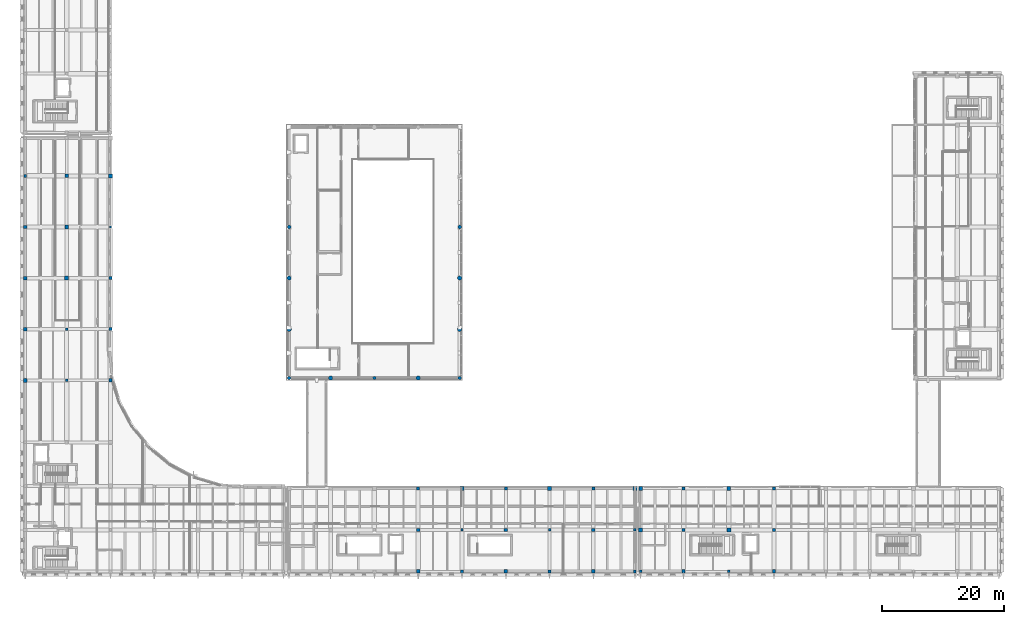
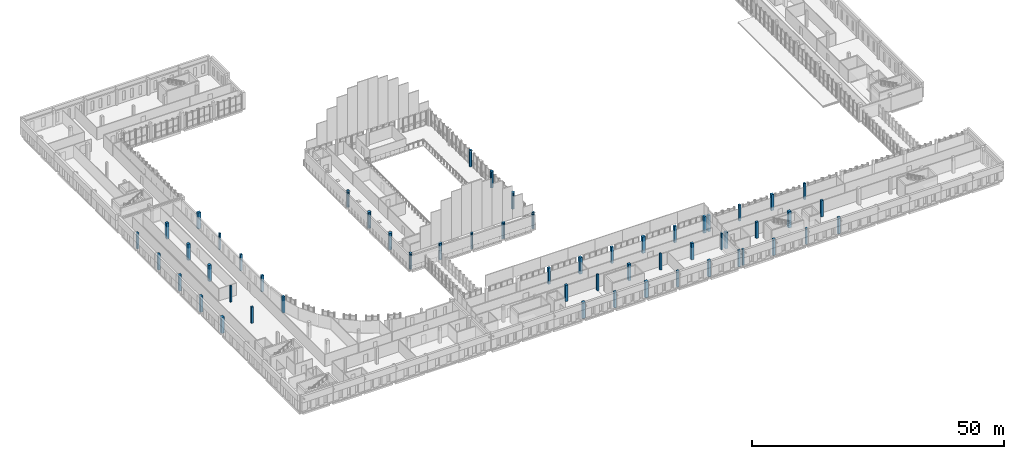
# One storey, part 3 of 76: 56 columns.
"""IFC4 building model written with IfcOpenShell, lengths in metres."""

from ifc_helpers import new_model, si_unit, direction, frame, origin, origin_2d, place, context, subcontext, project, spatial, rectangle, circle, extrude, material, material_profile, profile_set, type_object, element, save


model = new_model("IFC4")

# Units and contexts
model_context = context("Model", 3, precision=1e-05, world=origin(), true_north=direction((0.0, 1.0)))
body_context = subcontext(model_context, "Body", "Model", "MODEL_VIEW")
ifc_project = project(units=[si_unit("LENGTHUNIT", "METRE"), si_unit("AREAUNIT", "SQUARE_METRE"), si_unit("VOLUMEUNIT", "CUBIC_METRE"), si_unit("PLANEANGLEUNIT", "RADIAN"), si_unit("MASSUNIT", "GRAM", prefix="KILO")], contexts=[model_context])

# Site, building, storey
site_placement = place(None, origin())
site = spatial("IfcSite", under=ifc_project, at=site_placement, CompositionType="ELEMENT")
building_placement = place(site_placement, origin())
building = spatial("IfcBuilding", under=site, at=building_placement, Name="Vardoun Plaza Health Centre", CompositionType="ELEMENT")
storey_placement = place(building_placement, frame((0.0, 0.0, 4.5)))
storey = spatial("IfcBuildingStorey", under=building, at=storey_placement, Name="L01", CompositionType="ELEMENT", Elevation=4.5)

# Columns
ifc_material_1 = material(Name="Concrete C40/50", Category="concrete")
ifc_material_profile_1 = material_profile(ifc_material_1, rectangle(XDim=0.39990234375, YDim=0.39990234375, at=origin_2d()), Name="RC-COL 400x400")
ifc_profile_set_1 = profile_set([ifc_material_profile_1], Name="Concrete C40/50")
column_type_1 = type_object("IfcColumnType", Name="C-08", PredefinedType="COLUMN", material=ifc_profile_set_1)
for number, where, z_axis, x_axis, name in (
    (1, (11.699951171875, 44.699951171875, 0.0), (0.0, 0.0, 1.0), (1.0, 0.0, 0.0), "V2 L01 Column C-V2-16"),
    (2, (18.89990234375, 61.5, 0.0), (0.0, 0.0, 1.0), (1.0, 0.0, 0.0), "V2 L01 Column C-V2-28"),
):
    element("IfcColumn", number, at=place(storey_placement, frame(where, z_axis=z_axis, x_axis=x_axis)), inside=storey, type_object=column_type_1, Name=name, PredefinedType="COLUMN", context=body_context, shape_type="SweptSolid", body=[
        extrude(rectangle(XDim=0.39990234375, YDim=0.39990234375, at=origin_2d()), origin(), (0.0, 0.0, 1.0), 3.919921875),
    ])
for number, where, z_axis, x_axis, name in (
    (3, (76.679931640625, 11.699951171875, 0.0), (0.0, 0.0, 1.0), (1.0, 0.0, 0.0), "V4 L01 Column C-V4-14"),
    (4, (91.080078125, 11.699951171875, 0.0), (0.0, 0.0, 1.0), (1.0, 0.0, 0.0), "V4 L01 Column C-V4-20"),
    (5, (105.10009765625, 11.699951171875, 0.0), (0.0, 0.0, 1.0), (1.0, 0.0, 0.0), "V4 L01 Column C-V4-26"),
):
    element("IfcColumn", number, at=place(storey_placement, frame(where, z_axis=z_axis, x_axis=x_axis)), inside=storey, type_object=column_type_1, Name=name, PredefinedType="COLUMN", context=body_context, shape_type="SweptSolid", body=[
        extrude(rectangle(XDim=0.39990234375, YDim=0.39990234375, at=origin_2d()), origin(), (0.0, 0.0, 1.0), 3.9599609375),
    ])
for number, where, z_axis, x_axis, name in (
    (6, (106.0400390625, 4.8798828125, 0.0), (0.0, 0.0, 1.0), (1.0, 0.0, 0.0), "V5 L01 Column C-V5-01"),
    (7, (120.5400390625, 4.8798828125, 0.0), (0.0, 0.0, 1.0), (1.0, 0.0, 0.0), "V5 L01 Column C-V5-07"),
):
    element("IfcColumn", number, at=place(storey_placement, frame(where, z_axis=z_axis, x_axis=x_axis)), inside=storey, type_object=column_type_1, Name=name, PredefinedType="COLUMN", context=body_context, shape_type="SweptSolid", body=[
        extrude(rectangle(XDim=0.39990234375, YDim=0.39990234375, at=origin_2d()), origin(), (0.0, 0.0, 1.0), 3.905029296875),
    ])
ifc_material_2 = material(Name="Concrete C40/50", Category="concrete")
ifc_material_profile_2 = material_profile(ifc_material_2, rectangle(XDim=0.449951171875, YDim=0.449951171875, at=origin_2d()), Name="RC-COL 450x450")
ifc_profile_set_2 = profile_set([ifc_material_profile_2], Name="Concrete C40/50")
column_type_2 = type_object("IfcColumnType", Name="C-07", PredefinedType="COLUMN", material=ifc_profile_set_2)
for number, where, z_axis, x_axis, name in (
    (8, (4.8798828125, 69.900146484375, 0.0), (0.0, 0.0, 1.0), (1.0, 0.0, 0.0), "V2 L01 Column C-V2-09"),
    (9, (11.699951171875, 36.300048828125, 0.0), (0.0, 0.0, 1.0), (1.0, 0.0, 0.0), "V2 L01 Column C-V2-15"),
    (10, (18.89990234375, 53.10009765625, 0.0), (0.0, 0.0, 1.0), (1.0, 0.0, 0.0), "V2 L01 Column C-V2-27"),
):
    element("IfcColumn", number, at=place(storey_placement, frame(where, z_axis=z_axis, x_axis=x_axis)), inside=storey, type_object=column_type_2, Name=name, PredefinedType="COLUMN", context=body_context, shape_type="SweptSolid", body=[
        extrude(rectangle(XDim=0.449951171875, YDim=0.449951171875, at=origin_2d()), origin(), (0.0, 0.0, 1.0), 3.919921875),
    ])
for number, where, z_axis, x_axis, name in (
    (11, (76.679931640625, 4.8798828125, 0.0), (0.0, 0.0, 1.0), (1.0, 0.0, 0.0), "V4 L01 Column C-V4-13"),
    (12, (91.080078125, 4.8798828125, 0.0), (0.0, 0.0, 1.0), (1.0, 0.0, 0.0), "V4 L01 Column C-V4-19"),
    (13, (105.10009765625, 4.8798828125, 0.0), (0.0, 0.0, 1.0), (1.0, 0.0, 0.0), "V4 L01 Column C-V4-25"),
):
    element("IfcColumn", number, at=place(storey_placement, frame(where, z_axis=z_axis, x_axis=x_axis)), inside=storey, type_object=column_type_2, Name=name, PredefinedType="COLUMN", context=body_context, shape_type="SweptSolid", body=[
        extrude(rectangle(XDim=0.449951171875, YDim=0.449951171875, at=origin_2d()), origin(), (0.0, 0.0, 1.0), 3.9599609375),
    ])
for number, where, z_axis, x_axis, name in (
    (14, (113.10009765625, 18.52001953125, 0.0), (0.0, 0.0, 1.0), (1.0, 0.0, 0.0), "V5 L01 Column C-V5-06"),
    (15, (127.97998046875, 18.52001953125, 0.0), (0.0, 0.0, 1.0), (1.0, 0.0, 0.0), "V5 L01 Column C-V5-12"),
):
    element("IfcColumn", number, at=place(storey_placement, frame(where, z_axis=z_axis, x_axis=x_axis)), inside=storey, type_object=column_type_2, Name=name, PredefinedType="COLUMN", context=body_context, shape_type="SweptSolid", body=[
        extrude(rectangle(XDim=0.449951171875, YDim=0.449951171875, at=origin_2d()), origin(), (0.0, 0.0, 1.0), 3.905029296875),
    ])
ifc_material_3 = material(Name="Concrete C40/50", Category="concrete")
ifc_material_profile_3 = material_profile(ifc_material_3, rectangle(XDim=0.5, YDim=0.5, at=origin_2d()), Name="RC-COL 500x500")
ifc_profile_set_3 = profile_set([ifc_material_profile_3], Name="Concrete C40/50")
column_type_3 = type_object("IfcColumnType", Name="C-06", PredefinedType="COLUMN", material=ifc_profile_set_3)
for number, where, z_axis, x_axis, name in (
    (16, (4.8798828125, 61.5, 0.0), (0.0, 0.0, 1.0), (1.0, 0.0, 0.0), "V2 L01 Column C-V2-08"),
    (17, (18.89990234375, 44.699951171875, 0.0), (0.0, 0.0, 1.0), (1.0, 0.0, 0.0), "V2 L01 Column C-V2-26"),
):
    element("IfcColumn", number, at=place(storey_placement, frame(where, z_axis=z_axis, x_axis=x_axis)), inside=storey, type_object=column_type_3, Name=name, PredefinedType="COLUMN", context=body_context, shape_type="SweptSolid", body=[
        extrude(rectangle(XDim=0.5, YDim=0.5, at=origin_2d()), origin(), (0.0, 0.0, 1.0), 3.919921875),
    ])
for number, where, z_axis, x_axis, name in (
    (18, (69.47998046875, 18.52001953125, 0.0), (0.0, 0.0, 1.0), (1.0, 0.0, 0.0), "V4 L01 Column C-V4-12"),
    (19, (83.8798828125, 18.52001953125, 0.0), (0.0, 0.0, 1.0), (1.0, 0.0, 0.0), "V4 L01 Column C-V4-18"),
    (20, (98.280029296875, 18.52001953125, 0.0), (0.0, 0.0, 1.0), (1.0, 0.0, 0.0), "V4 L01 Column C-V4-24"),
):
    element("IfcColumn", number, at=place(storey_placement, frame(where, z_axis=z_axis, x_axis=x_axis)), inside=storey, type_object=column_type_3, Name=name, PredefinedType="COLUMN", context=body_context, shape_type="SweptSolid", body=[
        extrude(rectangle(XDim=0.5, YDim=0.5, at=origin_2d()), origin(), (0.0, 0.0, 1.0), 3.9599609375),
    ])
for number, where, z_axis, x_axis, name in (
    (21, (113.10009765625, 11.699951171875, 0.0), (0.0, 0.0, 1.0), (1.0, 0.0, 0.0), "V5 L01 Column C-V5-05"),
    (22, (127.97998046875, 11.699951171875, 0.0), (0.0, 0.0, 1.0), (1.0, 0.0, 0.0), "V5 L01 Column C-V5-11"),
):
    element("IfcColumn", number, at=place(storey_placement, frame(where, z_axis=z_axis, x_axis=x_axis)), inside=storey, type_object=column_type_3, Name=name, PredefinedType="COLUMN", context=body_context, shape_type="SweptSolid", body=[
        extrude(rectangle(XDim=0.5, YDim=0.5, at=origin_2d()), origin(), (0.0, 0.0, 1.0), 3.905029296875),
    ])
ifc_material_4 = material(Name="Concrete C40/50", Category="concrete")
ifc_material_profile_4 = material_profile(ifc_material_4, rectangle(XDim=0.550048828125, YDim=0.550048828125, at=origin_2d()), Name="RC-COL 550x550")
ifc_profile_set_4 = profile_set([ifc_material_profile_4], Name="Concrete C40/50")
column_type_4 = type_object("IfcColumnType", Name="C-05", PredefinedType="COLUMN", material=ifc_profile_set_4)
for number, where, z_axis, x_axis, name in (
    (23, (4.8798828125, 53.10009765625, 0.0), (0.0, 0.0, 1.0), (1.0, 0.0, 0.0), "V2 L01 Column C-V2-07"),
    (24, (11.699951171875, 69.900146484375, 0.0), (0.0, 0.0, 1.0), (1.0, 0.0, 0.0), "V2 L01 Column C-V2-19"),
    (25, (18.89990234375, 36.300048828125, 0.0), (0.0, 0.0, 1.0), (1.0, 0.0, 0.0), "V2 L01 Column C-V2-25"),
):
    element("IfcColumn", number, at=place(storey_placement, frame(where, z_axis=z_axis, x_axis=x_axis)), inside=storey, type_object=column_type_4, Name=name, PredefinedType="COLUMN", context=body_context, shape_type="SweptSolid", body=[
        extrude(rectangle(XDim=0.550048828125, YDim=0.550048828125, at=origin_2d()), origin(), (0.0, 0.0, 1.0), 3.919921875),
    ])
for number, where, z_axis, x_axis, name in (
    (26, (69.47998046875, 11.699951171875, 0.0), (0.0, 0.0, 1.0), (1.0, 0.0, 0.0), "V4 L01 Column C-V4-11"),
    (27, (83.8798828125, 11.699951171875, 0.0), (0.0, 0.0, 1.0), (1.0, 0.0, 0.0), "V4 L01 Column C-V4-17"),
    (28, (98.280029296875, 11.699951171875, 0.0), (0.0, 0.0, 1.0), (1.0, 0.0, 0.0), "V4 L01 Column C-V4-23"),
):
    element("IfcColumn", number, at=place(storey_placement, frame(where, z_axis=z_axis, x_axis=x_axis)), inside=storey, type_object=column_type_4, Name=name, PredefinedType="COLUMN", context=body_context, shape_type="SweptSolid", body=[
        extrude(rectangle(XDim=0.550048828125, YDim=0.550048828125, at=origin_2d()), origin(), (0.0, 0.0, 1.0), 3.9599609375),
    ])
for number, where, z_axis, x_axis, name in (
    (29, (113.10009765625, 4.8798828125, 0.0), (0.0, 0.0, 1.0), (1.0, 0.0, 0.0), "V5 L01 Column C-V5-04"),
    (30, (127.97998046875, 4.8798828125, 0.0), (0.0, 0.0, 1.0), (1.0, 0.0, 0.0), "V5 L01 Column C-V5-10"),
):
    element("IfcColumn", number, at=place(storey_placement, frame(where, z_axis=z_axis, x_axis=x_axis)), inside=storey, type_object=column_type_4, Name=name, PredefinedType="COLUMN", context=body_context, shape_type="SweptSolid", body=[
        extrude(rectangle(XDim=0.550048828125, YDim=0.550048828125, at=origin_2d()), origin(), (0.0, 0.0, 1.0), 3.905029296875),
    ])
ifc_material_5 = material(Name="Concrete C40/50", Category="concrete")
ifc_material_profile_5 = material_profile(ifc_material_5, rectangle(XDim=0.60009765625, YDim=0.60009765625, at=origin_2d()), Name="RC-COL 600x600")
ifc_profile_set_5 = profile_set([ifc_material_profile_5], Name="Concrete C40/50")
column_type_5 = type_object("IfcColumnType", Name="C-04", PredefinedType="COLUMN", material=ifc_profile_set_5)
for number, where, z_axis, x_axis, name in (
    (31, (4.8798828125, 44.699951171875, 0.0), (0.0, 0.0, 1.0), (1.0, 0.0, 0.0), "V2 L01 Column C-V2-06"),
    (32, (11.699951171875, 61.5, 0.0), (0.0, 0.0, 1.0), (1.0, 0.0, 0.0), "V2 L01 Column C-V2-18"),
):
    element("IfcColumn", number, at=place(storey_placement, frame(where, z_axis=z_axis, x_axis=x_axis)), inside=storey, type_object=column_type_5, Name=name, PredefinedType="COLUMN", context=body_context, shape_type="SweptSolid", body=[
        extrude(rectangle(XDim=0.60009765625, YDim=0.60009765625, at=origin_2d()), origin(), (0.0, 0.0, 1.0), 3.919921875),
    ])
for number, where, z_axis, x_axis, name in (
    (33, (69.47998046875, 4.8798828125, 0.0), (0.0, 0.0, 1.0), (1.0, 0.0, 0.0), "V4 L01 Column C-V4-10"),
    (34, (83.8798828125, 4.8798828125, 0.0), (0.0, 0.0, 1.0), (1.0, 0.0, 0.0), "V4 L01 Column C-V4-16"),
    (35, (98.280029296875, 4.8798828125, 0.0), (0.0, 0.0, 1.0), (1.0, 0.0, 0.0), "V4 L01 Column C-V4-22"),
):
    element("IfcColumn", number, at=place(storey_placement, frame(where, z_axis=z_axis, x_axis=x_axis)), inside=storey, type_object=column_type_5, Name=name, PredefinedType="COLUMN", context=body_context, shape_type="SweptSolid", body=[
        extrude(rectangle(XDim=0.60009765625, YDim=0.60009765625, at=origin_2d()), origin(), (0.0, 0.0, 1.0), 3.9599609375),
    ])
for number, where, z_axis, x_axis, name in (
    (36, (106.0400390625, 18.52001953125, 0.0), (0.0, 0.0, 1.0), (1.0, 0.0, 0.0), "V5 L01 Column C-V5-03"),
    (37, (120.5400390625, 18.52001953125, 0.0), (0.0, 0.0, 1.0), (1.0, 0.0, 0.0), "V5 L01 Column C-V5-09"),
):
    element("IfcColumn", number, at=place(storey_placement, frame(where, z_axis=z_axis, x_axis=x_axis)), inside=storey, type_object=column_type_5, Name=name, PredefinedType="COLUMN", context=body_context, shape_type="SweptSolid", body=[
        extrude(rectangle(XDim=0.60009765625, YDim=0.60009765625, at=origin_2d()), origin(), (0.0, 0.0, 1.0), 3.905029296875),
    ])
ifc_material_6 = material(Name="Concrete C40/50", Category="concrete")
ifc_material_profile_6 = material_profile(ifc_material_6, rectangle(XDim=0.64990234375, YDim=0.64990234375, at=origin_2d()), Name="RC-COL 650x650")
ifc_profile_set_6 = profile_set([ifc_material_profile_6], Name="Concrete C40/50")
column_type_6 = type_object("IfcColumnType", Name="C-03", PredefinedType="COLUMN", material=ifc_profile_set_6)
for number, where, z_axis, x_axis, name in (
    (38, (4.8798828125, 36.300048828125, 0.0), (0.0, 0.0, 1.0), (1.0, 0.0, 0.0), "V2 L01 Column C-V2-05"),
    (39, (11.699951171875, 53.10009765625, 0.0), (0.0, 0.0, 1.0), (1.0, 0.0, 0.0), "V2 L01 Column C-V2-17"),
    (40, (18.89990234375, 69.900146484375, 0.0), (0.0, 0.0, 1.0), (1.0, 0.0, 0.0), "V2 L01 Column C-V2-29"),
):
    element("IfcColumn", number, at=place(storey_placement, frame(where, z_axis=z_axis, x_axis=x_axis)), inside=storey, type_object=column_type_6, Name=name, PredefinedType="COLUMN", context=body_context, shape_type="SweptSolid", body=[
        extrude(rectangle(XDim=0.64990234375, YDim=0.64990234375, at=origin_2d()), origin(), (0.0, 0.0, 1.0), 3.919921875),
    ])
for number, where, z_axis, x_axis, name in (
    (41, (76.679931640625, 18.52001953125, 0.0), (0.0, 0.0, 1.0), (1.0, 0.0, 0.0), "V4 L01 Column C-V4-15"),
    (42, (91.080078125, 18.52001953125, 0.0), (0.0, 0.0, 1.0), (1.0, 0.0, 0.0), "V4 L01 Column C-V4-21"),
    (43, (105.10009765625, 18.52001953125, 0.0), (0.0, 0.0, 1.0), (1.0, 0.0, 0.0), "V4 L01 Column C-V4-27"),
):
    element("IfcColumn", number, at=place(storey_placement, frame(where, z_axis=z_axis, x_axis=x_axis)), inside=storey, type_object=column_type_6, Name=name, PredefinedType="COLUMN", context=body_context, shape_type="SweptSolid", body=[
        extrude(rectangle(XDim=0.64990234375, YDim=0.64990234375, at=origin_2d()), origin(), (0.0, 0.0, 1.0), 3.9599609375),
    ])
for number, where, z_axis, x_axis, name in (
    (44, (106.0400390625, 11.699951171875, 0.0), (0.0, 0.0, 1.0), (1.0, 0.0, 0.0), "V5 L01 Column C-V5-02"),
    (45, (120.5400390625, 11.699951171875, 0.0), (0.0, 0.0, 1.0), (1.0, 0.0, 0.0), "V5 L01 Column C-V5-08"),
):
    element("IfcColumn", number, at=place(storey_placement, frame(where, z_axis=z_axis, x_axis=x_axis)), inside=storey, type_object=column_type_6, Name=name, PredefinedType="COLUMN", context=body_context, shape_type="SweptSolid", body=[
        extrude(rectangle(XDim=0.64990234375, YDim=0.64990234375, at=origin_2d()), origin(), (0.0, 0.0, 1.0), 3.905029296875),
    ])
ifc_material_7 = material(Name="Pale Limestone Concrete C40/50", Category="masonry")
ifc_material_profile_7 = material_profile(ifc_material_7, circle(Radius=0.27490234375, at=origin_2d()), Name="RC-COL D550")
ifc_profile_set_7 = profile_set([ifc_material_profile_7], Name="Pale Limestone Concrete C40/50")
column_type_7 = type_object("IfcColumnType", Name="C-16", PredefinedType="COLUMN", material=ifc_profile_set_7)
for number, where, z_axis, x_axis, name in (
    (46, (48.260009765625, 36.679931640625, 0.0), (0.0, 0.0, 1.0), (1.0, 0.0, 0.0), "V1 L01 Column C-V1-01"),
    (47, (62.280029296875, 36.679931640625, 0.0), (0.0, 0.0, 1.0), (1.0, 0.0, 0.0), "V1 L01 Column C-V1-09"),
    (48, (76.300048828125, 36.679931640625, 0.0), (0.0, 0.0, 1.0), (1.0, 0.0, 0.0), "V1 L01 Column C-V1-13"),
):
    element("IfcColumn", number, at=place(storey_placement, frame(where, z_axis=z_axis, x_axis=x_axis)), inside=storey, type_object=column_type_7, Name=name, PredefinedType="COLUMN", context=body_context, shape_type="SweptSolid", body=[
        extrude(circle(Radius=0.27490234375, at=origin_2d()), origin(), (0.0, 0.0, 1.0), 3.9599609375),
    ])
ifc_material_8 = material(Name="Pale Limestone Concrete C40/50", Category="masonry")
ifc_material_profile_8 = material_profile(ifc_material_8, circle(Radius=0.300048828125, at=origin_2d()), Name="RC-COL D600")
ifc_profile_set_8 = profile_set([ifc_material_profile_8], Name="Pale Limestone Concrete C40/50")
column_type_8 = type_object("IfcColumnType", Name="C-15", PredefinedType="COLUMN", material=ifc_profile_set_8)
for number, where, z_axis, x_axis, name in (
    (49, (48.260009765625, 61.5, 0.0), (0.0, 0.0, 1.0), (1.0, 0.0, 0.0), "V1 L01 Column C-V1-04"),
    (50, (76.300048828125, 61.5, 0.0), (0.0, 0.0, 1.0), (1.0, 0.0, 0.0), "V1 L01 Column C-V1-16"),
):
    element("IfcColumn", number, at=place(storey_placement, frame(where, z_axis=z_axis, x_axis=x_axis)), inside=storey, type_object=column_type_8, Name=name, PredefinedType="COLUMN", context=body_context, shape_type="SweptSolid", body=[
        extrude(circle(Radius=0.300048828125, at=origin_2d()), origin(), (0.0, 0.0, 1.0), 3.9599609375),
    ])
ifc_material_9 = material(Name="Pale Limestone Concrete C40/50", Category="masonry")
ifc_material_profile_9 = material_profile(ifc_material_9, circle(Radius=0.35009765625, at=origin_2d()), Name="RC-COL D700")
ifc_profile_set_9 = profile_set([ifc_material_profile_9], Name="Pale Limestone Concrete C40/50")
column_type_9 = type_object("IfcColumnType", Name="C-14", PredefinedType="COLUMN", material=ifc_profile_set_9)
for number, where, z_axis, x_axis, name in (
    (51, (48.260009765625, 53.10009765625, 0.0), (0.0, 0.0, 1.0), (1.0, 0.0, 0.0), "V1 L01 Column C-V1-03"),
    (52, (55.080078125, 36.679931640625, 0.0), (0.0, 0.0, 1.0), (1.0, 0.0, 0.0), "V1 L01 Column C-V1-07"),
    (53, (69.47998046875, 36.679931640625, 0.0), (0.0, 0.0, 1.0), (1.0, 0.0, 0.0), "V1 L01 Column C-V1-11"),
    (54, (76.300048828125, 53.10009765625, 0.0), (0.0, 0.0, 1.0), (1.0, 0.0, 0.0), "V1 L01 Column C-V1-15"),
):
    element("IfcColumn", number, at=place(storey_placement, frame(where, z_axis=z_axis, x_axis=x_axis)), inside=storey, type_object=column_type_9, Name=name, PredefinedType="COLUMN", context=body_context, shape_type="SweptSolid", body=[
        extrude(circle(Radius=0.35009765625, at=origin_2d()), origin(), (0.0, 0.0, 1.0), 3.9599609375),
    ])
ifc_material_10 = material(Name="Pale Limestone Concrete C40/50", Category="masonry")
ifc_material_profile_10 = material_profile(ifc_material_10, circle(Radius=0.375, at=origin_2d()), Name="RC-COL D750")
ifc_profile_set_10 = profile_set([ifc_material_profile_10], Name="Pale Limestone Concrete C40/50")
column_type_10 = type_object("IfcColumnType", Name="C-13", PredefinedType="COLUMN", material=ifc_profile_set_10)
for number, where, z_axis, x_axis, name in (
    (55, (48.260009765625, 44.699951171875, 0.0), (0.0, 0.0, 1.0), (1.0, 0.0, 0.0), "V1 L01 Column C-V1-02"),
    (56, (76.300048828125, 44.699951171875, 0.0), (0.0, 0.0, 1.0), (1.0, 0.0, 0.0), "V1 L01 Column C-V1-14"),
):
    element("IfcColumn", number, at=place(storey_placement, frame(where, z_axis=z_axis, x_axis=x_axis)), inside=storey, type_object=column_type_10, Name=name, PredefinedType="COLUMN", context=body_context, shape_type="SweptSolid", body=[
        extrude(circle(Radius=0.375, at=origin_2d()), origin(), (0.0, 0.0, 1.0), 3.9599609375),
    ])

save(model, "model.ifc")
